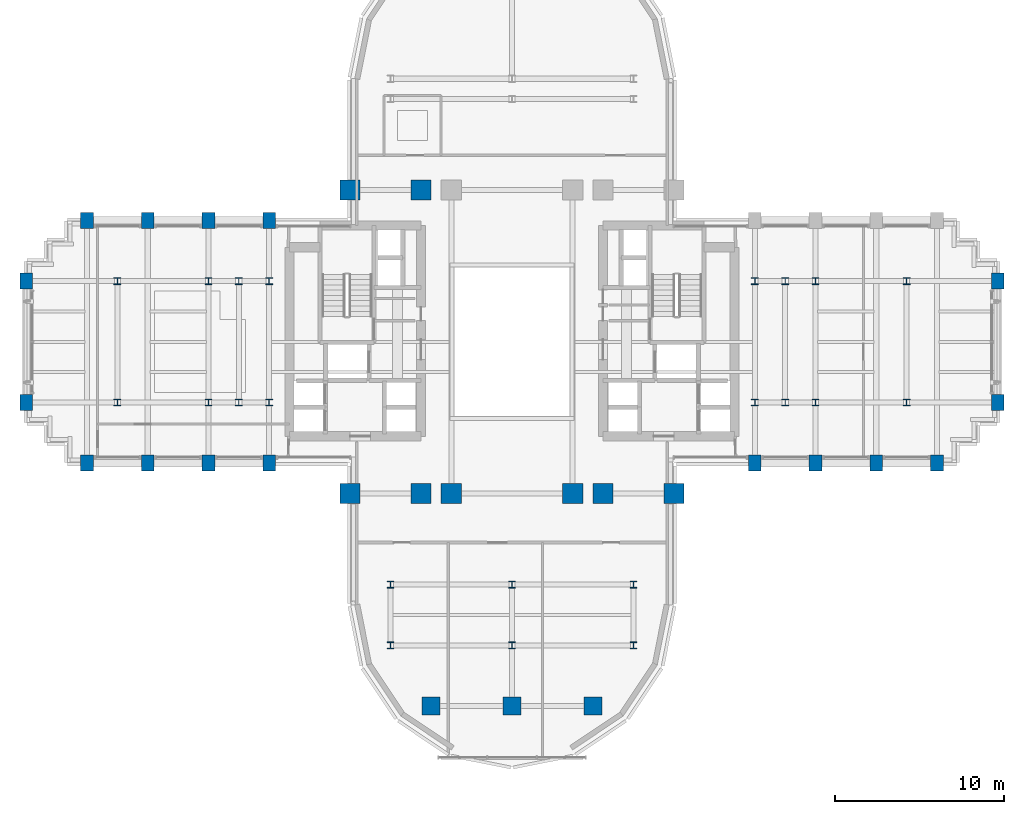
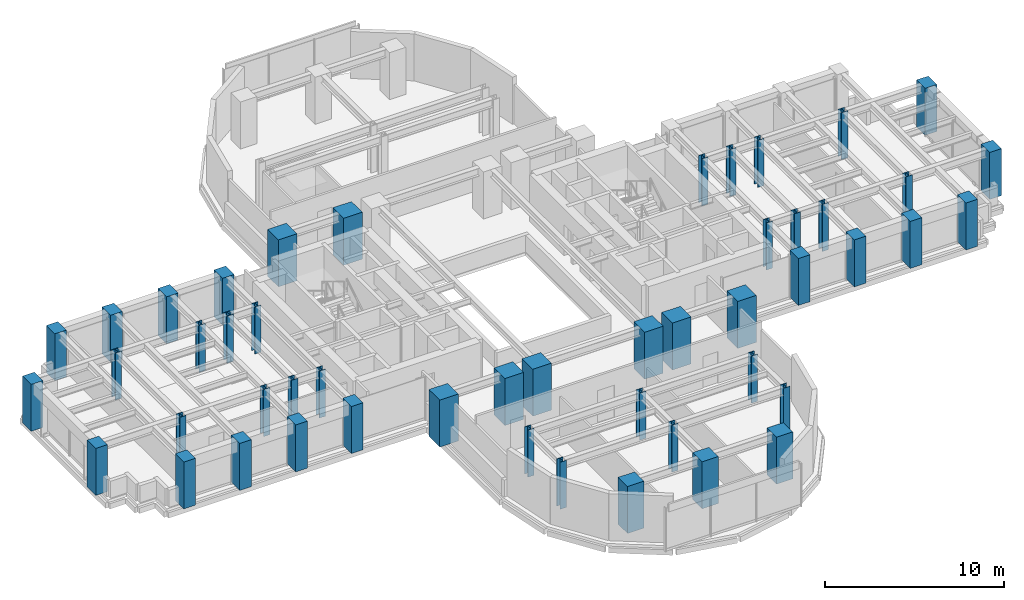
# One storey, part 1 of 16: 49 columns.
"""IFC4 building model written with IfcOpenShell, lengths in metres."""

from ifc_helpers import new_model, si_unit, direction, frame, origin, origin_2d, place, context, subcontext, project, spatial, rectangle, i_section, extrude, source, transform, mapped, material, material_profile, profile_set, type_object, element, save


model = new_model("IFC4")

# Units and contexts
model_context = context("Model", 3, precision=1e-05, world=origin(), true_north=direction((0.0, 1.0)))
body_context = subcontext(model_context, "Body", "Model", "MODEL_VIEW")
ifc_project = project(units=[si_unit("LENGTHUNIT", "METRE"), si_unit("AREAUNIT", "SQUARE_METRE"), si_unit("VOLUMEUNIT", "CUBIC_METRE"), si_unit("PLANEANGLEUNIT", "RADIAN"), si_unit("MASSUNIT", "GRAM", prefix="KILO")], contexts=[model_context])

# Site, building, storey
site_placement = place(None, origin())
site = spatial("IfcSite", under=ifc_project, at=site_placement, CompositionType="ELEMENT")
building_placement = place(site_placement, origin())
building = spatial("IfcBuilding", under=site, at=building_placement, Name="Keilestroom Media Tower", CompositionType="ELEMENT")
storey_placement = place(building_placement, frame((0.0, 0.0, 51.0)))
storey = spatial("IfcBuildingStorey", under=building, at=storey_placement, Name="L12", CompositionType="ELEMENT", Elevation=51.0)

# Columns
ifc_material_1 = material(Name="Precast concrete C40/50", Category="concrete")
ifc_material_profile_1 = material_profile(ifc_material_1, rectangle(XDim=0.75, YDim=0.949951171875, at=origin_2d()), Name="PC 950x750")
ifc_profile_set_1 = profile_set([ifc_material_profile_1], Name="Precast concrete C40/50")
column_type_1 = type_object("IfcColumnType", Name="Structural-Column-PC-950x750", PredefinedType="COLUMN", material=ifc_profile_set_1)
shared_shape_1 = source(origin(), body_context, "Body", "SweptSolid", [
    extrude(rectangle(XDim=0.75, YDim=0.949951171875, at=origin_2d()), origin(), (0.0, 0.0, 1.0), 3.199951171875),
])
for number, where, z_axis, x_axis, name in (
    (1, (-28.800048828125, -3.60009765625, 0.0), (0.0, 0.0, 1.0), (1.0, 0.0, 0.0), "L12 Column PC-1 (-28.8,-3.6)"),
    (2, (-28.800048828125, 3.60009765625, 0.0), (0.0, 0.0, 1.0), (1.0, 0.0, 0.0), "L12 Column PC-1 (-28.8,+3.6)"),
    (3, (-25.199951171875, -7.199951171875, 0.0), (0.0, 0.0, 1.0), (1.0, 0.0, 0.0), "L12 Column PC-1 (-25.2,-7.2)"),
    (4, (-25.199951171875, 7.199951171875, 0.0), (0.0, 0.0, 1.0), (1.0, 0.0, 0.0), "L12 Column PC-1 (-25.2,+7.2)"),
    (5, (-21.60009765625, -7.199951171875, 0.0), (0.0, 0.0, 1.0), (1.0, 0.0, 0.0), "L12 Column PC-1 (-21.6,-7.2)"),
    (6, (-21.60009765625, 7.199951171875, 0.0), (0.0, 0.0, 1.0), (1.0, 0.0, 0.0), "L12 Column PC-1 (-21.6,+7.2)"),
    (7, (-18.0, -7.199951171875, 0.0), (0.0, 0.0, 1.0), (1.0, 0.0, 0.0), "L12 Column PC-1 (-18.0,-7.2)"),
    (8, (-18.0, 7.199951171875, 0.0), (0.0, 0.0, 1.0), (1.0, 0.0, 0.0), "L12 Column PC-1 (-18.0,+7.2)"),
    (9, (-14.39990234375, -7.199951171875, 0.0), (0.0, 0.0, 1.0), (1.0, 0.0, 0.0), "L12 Column PC-1 (-14.4,-7.2)"),
    (10, (-14.39990234375, 7.199951171875, 0.0), (0.0, 0.0, 1.0), (1.0, 0.0, 0.0), "L12 Column PC-1 (-14.4,+7.2)"),
    (11, (14.39990234375, -7.199951171875, 0.0), (0.0, 0.0, 1.0), (1.0, 0.0, 0.0), "L12 Column PC-1 (+14.4,-7.2)"),
    (12, (18.0, -7.199951171875, 0.0), (0.0, 0.0, 1.0), (1.0, 0.0, 0.0), "L12 Column PC-1 (+18.0,-7.2)"),
    (13, (21.60009765625, -7.199951171875, 0.0), (0.0, 0.0, 1.0), (1.0, 0.0, 0.0), "L12 Column PC-1 (+21.6,-7.2)"),
    (14, (25.199951171875, -7.199951171875, 0.0), (0.0, 0.0, 1.0), (1.0, 0.0, 0.0), "L12 Column PC-1 (+25.2,-7.2)"),
    (15, (28.800048828125, -3.60009765625, 0.0), (0.0, 0.0, 1.0), (1.0, 0.0, 0.0), "L12 Column PC-1 (+28.8,-3.6)"),
    (16, (28.800048828125, 3.60009765625, 0.0), (0.0, 0.0, 1.0), (1.0, 0.0, 0.0), "L12 Column PC-1 (+28.8,+3.6)"),
):
    element("IfcColumn", number, at=place(storey_placement, frame(where, z_axis=z_axis, x_axis=x_axis)), inside=storey, type_object=column_type_1, Name=name, PredefinedType="COLUMN", context=body_context, shape_type="MappedRepresentation", body=[
        mapped(shared_shape_1, transform((0.0, 0.0, 0.0), x_axis=(1.0, 0.0, 0.0), y_axis=(0.0, 1.0, 0.0), z_axis=(0.0, 0.0, 1.0), scale=1.0)),
    ])
ifc_material_2 = material(Name="Steel S460", Category="steel")
ifc_material_profile_2 = material_profile(ifc_material_2, i_section(OverallWidth=0.404052734375, OverallDepth=0.406982421875, WebThickness=0.02197265625, FlangeThickness=0.035400390625, at=origin_2d()), Name="HD 400x347")
ifc_profile_set_2 = profile_set([ifc_material_profile_2], Name="Steel S460")
column_type_2 = type_object("IfcColumnType", Name="Structural-Column-HD-400x347", PredefinedType="COLUMN", material=ifc_profile_set_2)
shared_shape_2 = source(origin(), body_context, "Body", "SweptSolid", [
    extrude(i_section(OverallWidth=0.404052734375, OverallDepth=0.406982421875, WebThickness=0.02197265625, FlangeThickness=0.035400390625, at=origin_2d()), origin(), (0.0, 0.0, 1.0), 3.199951171875),
])
for number, where, z_axis, x_axis, name in (
    (17, (-23.39990234375, -3.60009765625, 0.0), (0.0, 0.0, 1.0), (1.0, 0.0, 0.0), "L12 Column SC-2 (-23.4,-3.6)"),
    (18, (-23.39990234375, 3.60009765625, 0.0), (0.0, 0.0, 1.0), (1.0, 0.0, 0.0), "L12 Column SC-2 (-23.4,+3.6)"),
    (19, (-18.0, -3.60009765625, 0.0), (0.0, 0.0, 1.0), (1.0, 0.0, 0.0), "L12 Column SC-2 (-18.0,-3.6)"),
    (20, (-18.0, 3.60009765625, 0.0), (0.0, 0.0, 1.0), (1.0, 0.0, 0.0), "L12 Column SC-2 (-18.0,+3.6)"),
    (21, (-16.199951171875, -3.60009765625, 0.0), (0.0, 0.0, 1.0), (1.0, 0.0, 0.0), "L12 Column SC-2 (-16.2,-3.6)"),
    (22, (-16.199951171875, 3.60009765625, 0.0), (0.0, 0.0, 1.0), (1.0, 0.0, 0.0), "L12 Column SC-2 (-16.2,+3.6)"),
    (23, (-14.39990234375, -3.60009765625, 0.0), (0.0, 0.0, 1.0), (1.0, 0.0, 0.0), "L12 Column SC-2 (-14.4,-3.6)"),
    (24, (-14.39990234375, 3.60009765625, 0.0), (0.0, 0.0, 1.0), (1.0, 0.0, 0.0), "L12 Column SC-2 (-14.4,+3.6)"),
    (25, (-7.199951171875, -18.0, 0.0), (0.0, 0.0, 1.0), (1.0, 0.0, 0.0), "L12 Column SC-2 (-7.2,-18.0)"),
    (26, (-7.199951171875, -14.39990234375, 0.0), (0.0, 0.0, 1.0), (1.0, 0.0, 0.0), "L12 Column SC-2 (-7.2,-14.4)"),
    (27, (0.0, -18.0, 0.0), (0.0, 0.0, 1.0), (1.0, 0.0, 0.0), "L12 Column SC-2 (+0.0,-18.0)"),
    (28, (0.0, -14.39990234375, 0.0), (0.0, 0.0, 1.0), (1.0, 0.0, 0.0), "L12 Column SC-2 (+0.0,-14.4)"),
    (29, (7.199951171875, -18.0, 0.0), (0.0, 0.0, 1.0), (1.0, 0.0, 0.0), "L12 Column SC-2 (+7.2,-18.0)"),
    (30, (7.199951171875, -14.39990234375, 0.0), (0.0, 0.0, 1.0), (1.0, 0.0, 0.0), "L12 Column SC-2 (+7.2,-14.4)"),
    (31, (14.39990234375, -3.60009765625, 0.0), (0.0, 0.0, 1.0), (1.0, 0.0, 0.0), "L12 Column SC-2 (+14.4,-3.6)"),
    (32, (14.39990234375, 3.60009765625, 0.0), (0.0, 0.0, 1.0), (1.0, 0.0, 0.0), "L12 Column SC-2 (+14.4,+3.6)"),
    (33, (16.199951171875, -3.60009765625, 0.0), (0.0, 0.0, 1.0), (1.0, 0.0, 0.0), "L12 Column SC-2 (+16.2,-3.6)"),
    (34, (16.199951171875, 3.60009765625, 0.0), (0.0, 0.0, 1.0), (1.0, 0.0, 0.0), "L12 Column SC-2 (+16.2,+3.6)"),
    (35, (18.0, -3.60009765625, 0.0), (0.0, 0.0, 1.0), (1.0, 0.0, 0.0), "L12 Column SC-2 (+18.0,-3.6)"),
    (36, (18.0, 3.60009765625, 0.0), (0.0, 0.0, 1.0), (1.0, 0.0, 0.0), "L12 Column SC-2 (+18.0,+3.6)"),
    (37, (23.39990234375, -3.60009765625, 0.0), (0.0, 0.0, 1.0), (1.0, 0.0, 0.0), "L12 Column SC-2 (+23.4,-3.6)"),
    (38, (23.39990234375, 3.60009765625, 0.0), (0.0, 0.0, 1.0), (1.0, 0.0, 0.0), "L12 Column SC-2 (+23.4,+3.6)"),
):
    element("IfcColumn", number, at=place(storey_placement, frame(where, z_axis=z_axis, x_axis=x_axis)), inside=storey, type_object=column_type_2, Name=name, PredefinedType="COLUMN", context=body_context, shape_type="MappedRepresentation", body=[
        mapped(shared_shape_2, transform((0.0, 0.0, 0.0), x_axis=(1.0, 0.0, 0.0), y_axis=(0.0, 1.0, 0.0), z_axis=(0.0, 0.0, 1.0), scale=1.0)),
    ])
ifc_material_3 = material(Name="Concrete C70/85", Category="concrete")
ifc_material_profile_3 = material_profile(ifc_material_3, rectangle(XDim=1.199951171875, YDim=1.199951171875, at=origin_2d()), Name="RC 1200x1200")
ifc_profile_set_3 = profile_set([ifc_material_profile_3], Name="Concrete C70/85")
column_type_3 = type_object("IfcColumnType", Name="Structural-Column-RC-1200x1200", PredefinedType="COLUMN", material=ifc_profile_set_3)
shared_shape_3 = source(origin(), body_context, "Body", "SweptSolid", [
    extrude(rectangle(XDim=1.199951171875, YDim=1.199951171875, at=origin_2d()), origin(), (0.0, 0.0, 1.0), 3.199951171875),
])
for number, where, z_axis, x_axis, name in (
    (39, (-9.60009765625, -9.0, 0.0), (0.0, 0.0, 1.0), (1.0, 0.0, 0.0), "L12 Column MC-2 (-9.6,-9.0)"),
    (40, (-9.60009765625, 9.0, 0.0), (0.0, 0.0, 1.0), (1.0, 0.0, 0.0), "L12 Column MC-2 (-9.6,+9.0)"),
    (41, (-5.39990234375, -9.0, 0.0), (0.0, 0.0, 1.0), (1.0, 0.0, 0.0), "L12 Column MC-2 (-5.4,-9.0)"),
    (42, (-5.39990234375, 9.0, 0.0), (0.0, 0.0, 1.0), (1.0, 0.0, 0.0), "L12 Column MC-2 (-5.4,+9.0)"),
    (43, (-3.60009765625, -9.0, 0.0), (0.0, 0.0, 1.0), (1.0, 0.0, 0.0), "L12 Column MC-2 (-3.6,-9.0)"),
    (44, (3.60009765625, -9.0, 0.0), (0.0, 0.0, 1.0), (1.0, 0.0, 0.0), "L12 Column MC-2 (+3.6,-9.0)"),
    (45, (5.39990234375, -9.0, 0.0), (0.0, 0.0, 1.0), (1.0, 0.0, 0.0), "L12 Column MC-2 (+5.4,-9.0)"),
    (46, (9.60009765625, -9.0, 0.0), (0.0, 0.0, 1.0), (1.0, 0.0, 0.0), "L12 Column MC-2 (+9.6,-9.0)"),
):
    element("IfcColumn", number, at=place(storey_placement, frame(where, z_axis=z_axis, x_axis=x_axis)), inside=storey, type_object=column_type_3, Name=name, PredefinedType="COLUMN", context=body_context, shape_type="MappedRepresentation", body=[
        mapped(shared_shape_3, transform((0.0, 0.0, 0.0), x_axis=(1.0, 0.0, 0.0), y_axis=(0.0, 1.0, 0.0), z_axis=(0.0, 0.0, 1.0), scale=1.0)),
    ])
ifc_material_4 = material(Name="Concrete C55/67", Category="concrete")
ifc_material_profile_4 = material_profile(ifc_material_4, rectangle(XDim=1.050048828125, YDim=1.050048828125, at=origin_2d()), Name="RC 1050x1050")
ifc_profile_set_4 = profile_set([ifc_material_profile_4], Name="Concrete C55/67")
column_type_4 = type_object("IfcColumnType", Name="Structural-Column-RC-1050x1050", PredefinedType="COLUMN", material=ifc_profile_set_4)
shared_shape_4 = source(origin(), body_context, "Body", "SweptSolid", [
    extrude(rectangle(XDim=1.050048828125, YDim=1.050048828125, at=origin_2d()), origin(), (0.0, 0.0, 1.0), 3.199951171875),
])
for number, where, z_axis, x_axis, name in (
    (47, (-4.800048828125, -21.60009765625, 0.0), (0.0, 0.0, 1.0), (1.0, 0.0, 0.0), "L12 Column MC-3 (-4.8,-21.6)"),
    (48, (0.0, -21.60009765625, 0.0), (0.0, 0.0, 1.0), (1.0, 0.0, 0.0), "L12 Column MC-3 (+0.0,-21.6)"),
    (49, (4.800048828125, -21.60009765625, 0.0), (0.0, 0.0, 1.0), (1.0, 0.0, 0.0), "L12 Column MC-3 (+4.8,-21.6)"),
):
    element("IfcColumn", number, at=place(storey_placement, frame(where, z_axis=z_axis, x_axis=x_axis)), inside=storey, type_object=column_type_4, Name=name, PredefinedType="COLUMN", context=body_context, shape_type="MappedRepresentation", body=[
        mapped(shared_shape_4, transform((0.0, 0.0, 0.0), x_axis=(1.0, 0.0, 0.0), y_axis=(0.0, 1.0, 0.0), z_axis=(0.0, 0.0, 1.0), scale=1.0)),
    ])

save(model, "model.ifc")
